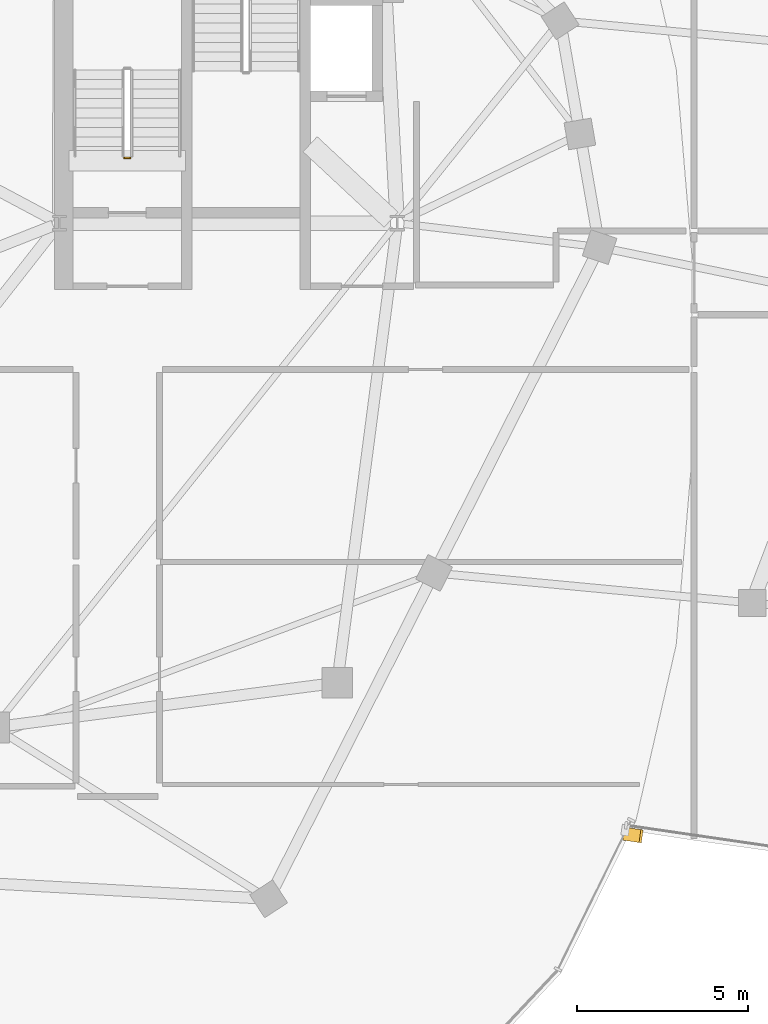
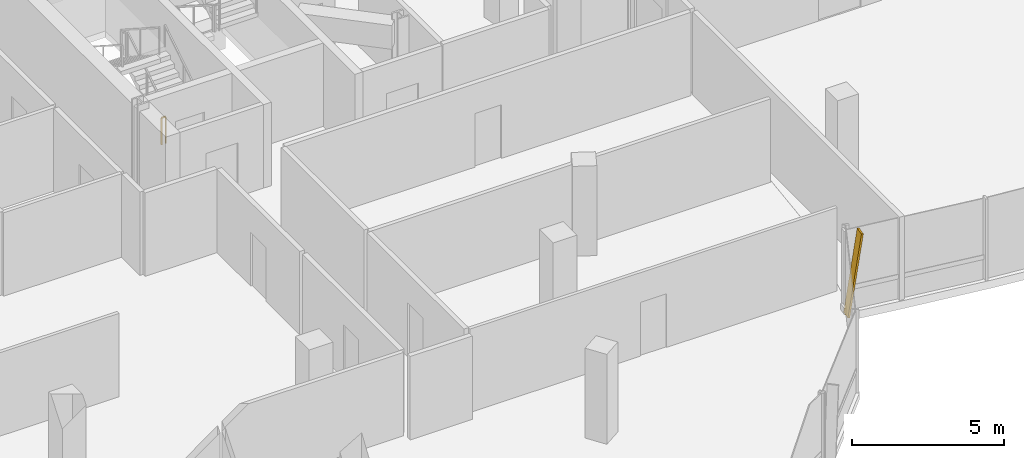
# One storey, part 21 of 25: 1 railing, 1 shading device.
"""IFC4 building model written with IfcOpenShell, lengths in metres."""

from ifc_helpers import new_model, si_unit, direction, frame, origin, origin_2d, place, context, subcontext, project, spatial, rectangle, extrude, material, material_profile, profile_set, type_object, element, save


model = new_model("IFC4")

# Units and contexts
model_context = context("Model", 3, precision=1e-05, world=origin(), true_north=direction((0.0, 1.0)))
body_context = subcontext(model_context, "Body", "Model", "MODEL_VIEW")
ifc_project = project(units=[si_unit("LENGTHUNIT", "METRE"), si_unit("AREAUNIT", "SQUARE_METRE"), si_unit("VOLUMEUNIT", "CUBIC_METRE"), si_unit("PLANEANGLEUNIT", "RADIAN"), si_unit("MASSUNIT", "GRAM", prefix="KILO"), si_unit("THERMODYNAMICTEMPERATUREUNIT", "KELVIN"), si_unit("POWERUNIT", "WATT")], contexts=[model_context])

# Site, building, storey
site_placement = place(None, origin())
site = spatial("IfcSite", under=ifc_project, at=site_placement, CompositionType="ELEMENT")
building_placement = place(site_placement, origin())
building = spatial("IfcBuilding", under=site, at=building_placement, Name="Cundina Bronze Exchange", CompositionType="ELEMENT")
storey_placement = place(building_placement, frame((0.0, 0.0, 250.39990234375)))
storey = spatial("IfcBuildingStorey", under=building, at=storey_placement, Name="L66", CompositionType="ELEMENT", Elevation=250.39990234375)

# Railing
ifc_material_1 = material(Name="Steel ASTM A36 Painted", Category="steel")
railing_type = type_object("IfcRailingType", Name="RLG-STG-1100", PredefinedType="GUARDRAIL", material=ifc_material_1)
railing_placement = place(storey_placement, frame((-29.239990234375, 5.800048828125, 0.0)))
element("IfcRailing", 1, at=railing_placement, inside=storey, type_object=railing_type, Name="L66 ST-W1 stair guard 4", PredefinedType="GUARDRAIL", context=body_context, shape_type="SweptSolid", body=[
    extrude(rectangle(XDim=0.048095703125, YDim=0.048095703125, at=origin_2d()), frame((0.0, 0.0, 1.076171875), z_axis=(-1.0, 0.0, 0.0), x_axis=(0.0, -1.0, 0.0)), (0.0, 0.0, 1.0), 0.159912109375),
    extrude(rectangle(XDim=0.0419921875, YDim=0.0419921875, at=origin_2d()), origin(), (0.0, 0.0, 1.0), 1.052001953125),
    extrude(rectangle(XDim=0.0419921875, YDim=0.0419921875, at=origin_2d()), frame((-0.159912109375, 0.0, 0.0)), (0.0, 0.0, 1.0), 1.052001953125),
])

# Shading device
ifc_material_2 = material(Name="Anodised Bronze Aluminium 6063-T6", Category="aluminium")
ifc_material_profile = material_profile(ifc_material_2, rectangle(XDim=0.070068359375, YDim=0.3798828125, at=origin_2d()), Name="FIN70X380", Category="aluminium")
ifc_profile_set = profile_set([ifc_material_profile], Name="Anodised Bronze Aluminium 6063-T6")
shading_device_type = type_object("IfcShadingDeviceType", Name="SHD-FIN-BRZ380", PredefinedType="USERDEFINED", material=ifc_profile_set)
shading_device_placement = place(storey_placement, frame((-14.8154296875, -13.90625, 0.02001953125), z_axis=(0.145051508968, -0.021168873868, 0.989197623595), x_axis=(-0.978828704224, 0.142850643371, 0.1465880673)))
element("IfcShadingDevice", 2, at=shading_device_placement, inside=storey, type_object=shading_device_type, Name="L66 Diagonal Bronze Solar Fin 1", ObjectType="FIN", PredefinedType="USERDEFINED", context=body_context, shape_type="SweptSolid", body=[
    extrude(rectangle(XDim=0.070068359375, YDim=0.3798828125, at=origin_2d()), origin(), (0.0, 0.0, 1.0), 3.275390625),
])

save(model, "model.ifc")
